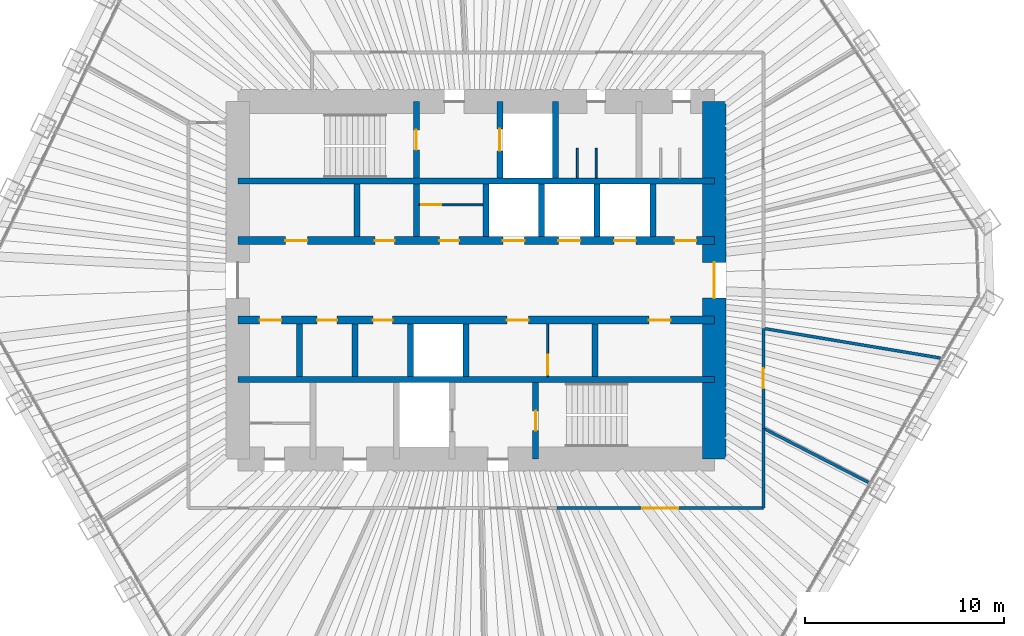
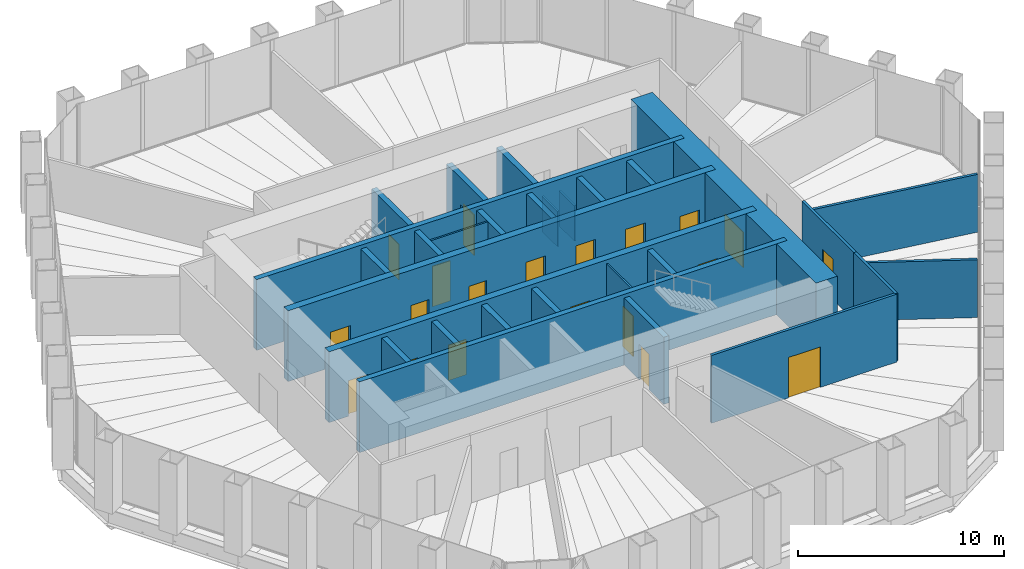
# One storey, part 11 of 13: 29 walls, 20 doors, 20 openings.
"""IFC4 building model written with IfcOpenShell, lengths in metres."""

from ifc_helpers import new_model, si_unit, direction, frame, frame_2d, origin, place, context, subcontext, project, spatial, rectangle, extrude, material, layer, layer_set, type_object, element, fill, save


model = new_model("IFC4")

# Units and contexts
model_context = context("Model", 3, precision=1e-05, world=origin(), true_north=direction((0.0, 1.0)))
body_context = subcontext(model_context, "Body", "Model", "MODEL_VIEW")
ifc_project = project(units=[si_unit("LENGTHUNIT", "METRE"), si_unit("AREAUNIT", "SQUARE_METRE"), si_unit("VOLUMEUNIT", "CUBIC_METRE"), si_unit("PLANEANGLEUNIT", "RADIAN"), si_unit("MASSUNIT", "GRAM", prefix="KILO")], contexts=[model_context])

# Site, building, storey
site_placement = place(None, origin())
site = spatial("IfcSite", under=ifc_project, at=site_placement, CompositionType="ELEMENT")
building_placement = place(site_placement, origin())
building = spatial("IfcBuilding", under=site, at=building_placement, Name="Qingtian Harvest Tower", CompositionType="ELEMENT")
storey_placement = place(building_placement, frame((0.0, 0.0, 226.60009765625)))
storey = spatial("IfcBuildingStorey", under=building, at=storey_placement, Name="L49", CompositionType="ELEMENT", Elevation=226.60009765625)

# Walls
ifc_material_1 = material(Name="Concrete fc' 70 MPa", Category="concrete")
ifc_layer_1 = layer(ifc_material_1, 0.300048828125)
ifc_layer_set_1 = layer_set([ifc_layer_1], Name="Core inner wall RC5 300")
wall_type_1 = type_object("IfcWallType", Name="Core inner wall RC5 300", PredefinedType="SHEAR", material=ifc_layer_set_1)
for number, where, z_axis, x_axis, name in (
    (1, (-12.0, 5.0, 0.0), (0.0, 0.0, 1.0), (1.0, 0.0, 0.0), "Core wall IN5 L49"),
    (2, (-12.0, -5.0, 0.0), (0.0, 0.0, 1.0), (1.0, 0.0, 0.0), "Core wall IS5 L49"),
):
    element("IfcWall", number, at=place(storey_placement, frame(where, z_axis=z_axis, x_axis=x_axis)), inside=storey, type_object=wall_type_1, Name=name, PredefinedType="SHEAR", context=body_context, shape_type="SweptSolid", body=[
        extrude(rectangle(XDim=24.0, YDim=0.300048828125, at=frame_2d((12.0, 0.0))), origin(), (0.0, 0.0, 1.0), 4.199951171875),
    ])

# Wall, openings, doors
ifc_material_2 = material(Name="Concrete fc' 70 MPa", Category="concrete")
ifc_layer_2 = layer(ifc_material_2, 0.39990234375)
ifc_layer_set_2 = layer_set([ifc_layer_2], Name="Core inner web RC6 400")
wall_type_2 = type_object("IfcWallType", Name="Core inner web RC6 400", PredefinedType="SHEAR", material=ifc_layer_set_2)
wall_1_placement = place(storey_placement, frame((-12.0, 2.0, 0.0), z_axis=(0.0, 0.0, 1.0), x_axis=(1.0, 0.0, 0.0)))
wall_1 = element("IfcWall", 3, at=wall_1_placement, inside=storey, type_object=wall_type_2, Name="Core wall IN2 L49", PredefinedType="SHEAR", context=body_context, shape_type="SweptSolid", body=[
    extrude(rectangle(XDim=24.0, YDim=0.39990234375, at=frame_2d((12.0, 0.0))), origin(), (0.0, 0.0, 1.0), 4.199951171875),
])
opening_1_placement = place(wall_1_placement, frame((2.39990234375, 0.0, 0.0)))
opening_1 = element("IfcOpeningElement", 4, at=opening_1_placement, cuts=wall_1, Name="Opening FD4", PredefinedType="OPENING", context=body_context, shape_type="SweptSolid", body=[
    extrude(rectangle(XDim=1.10009765625, YDim=2.10009765625, at=frame_2d((0.550048828125, 1.050048828125))), frame((0.0, 0.2099609375, 0.0), z_axis=(0.0, -1.0, 0.0), x_axis=(1.0, 0.0, 0.0)), (0.0, 0.0, 1.0), 0.419921875),
])
opening_2_placement = place(wall_1_placement, frame((22.0, 0.0, 0.0)))
opening_2 = element("IfcOpeningElement", 5, at=opening_2_placement, cuts=wall_1, Name="Opening FD4", PredefinedType="OPENING", context=body_context, shape_type="SweptSolid", body=[
    extrude(rectangle(XDim=1.10009765625, YDim=2.10009765625, at=frame_2d((0.550048828125, 1.050048828125))), frame((0.0, 0.2099609375, 0.0), z_axis=(0.0, -1.0, 0.0), x_axis=(1.0, 0.0, 0.0)), (0.0, 0.0, 1.0), 0.419921875),
])
opening_3_placement = place(wall_1_placement, frame((10.14990234375, 0.0, 0.0)))
opening_3 = element("IfcOpeningElement", 6, at=opening_3_placement, cuts=wall_1, Name="Opening FD1", PredefinedType="OPENING", context=body_context, shape_type="SweptSolid", body=[
    extrude(rectangle(XDim=1.0, YDim=2.10009765625, at=frame_2d((0.5, 1.050048828125))), frame((0.0, 0.2099609375, 0.0), z_axis=(0.0, -1.0, 0.0), x_axis=(1.0, 0.0, 0.0)), (0.0, 0.0, 1.0), 0.419921875),
])
opening_4_placement = place(wall_1_placement, frame((6.89990234375, 0.0, 0.0)))
opening_4 = element("IfcOpeningElement", 7, at=opening_4_placement, cuts=wall_1, Name="Opening FD1", PredefinedType="OPENING", context=body_context, shape_type="SweptSolid", body=[
    extrude(rectangle(XDim=1.0, YDim=2.10009765625, at=frame_2d((0.5, 1.050048828125))), frame((0.0, 0.2099609375, 0.0), z_axis=(0.0, -1.0, 0.0), x_axis=(1.0, 0.0, 0.0)), (0.0, 0.0, 1.0), 0.419921875),
])
opening_5_placement = place(wall_1_placement, frame((13.35009765625, 0.0, 0.0)))
opening_5 = element("IfcOpeningElement", 8, at=opening_5_placement, cuts=wall_1, Name="Opening LD1", PredefinedType="OPENING", context=body_context, shape_type="SweptSolid", body=[
    extrude(rectangle(XDim=1.10009765625, YDim=2.39990234375, at=frame_2d((0.550048828125, 1.199951171875))), frame((0.0, 0.2099609375, 0.0), z_axis=(0.0, -1.0, 0.0), x_axis=(1.0, 0.0, 0.0)), (0.0, 0.0, 1.0), 0.419921875),
])
opening_6_placement = place(wall_1_placement, frame((16.14990234375, 0.0, 0.0)))
opening_6 = element("IfcOpeningElement", 9, at=opening_6_placement, cuts=wall_1, Name="Opening LD1", PredefinedType="OPENING", context=body_context, shape_type="SweptSolid", body=[
    extrude(rectangle(XDim=1.10009765625, YDim=2.39990234375, at=frame_2d((0.550048828125, 1.199951171875))), frame((0.0, 0.2099609375, 0.0), z_axis=(0.0, -1.0, 0.0), x_axis=(1.0, 0.0, 0.0)), (0.0, 0.0, 1.0), 0.419921875),
])
opening_7_placement = place(wall_1_placement, frame((18.949951171875, 0.0, 0.0)))
opening_7 = element("IfcOpeningElement", 10, at=opening_7_placement, cuts=wall_1, Name="Opening LD1", PredefinedType="OPENING", context=body_context, shape_type="SweptSolid", body=[
    extrude(rectangle(XDim=1.10009765625, YDim=2.39990234375, at=frame_2d((0.550048828125, 1.199951171875))), frame((0.0, 0.2099609375, 0.0), z_axis=(0.0, -1.0, 0.0), x_axis=(1.0, 0.0, 0.0)), (0.0, 0.0, 1.0), 0.419921875),
])
ifc_material_3 = material(Name="Steel-faced door leaf", Category="steel")
door_type_1 = type_object("IfcDoorType", Name="Fire door FD1 single 1 HR", OperationType="SINGLE_SWING_LEFT", PredefinedType="DOOR", material=ifc_material_3)
door_1_placement = place(opening_3_placement, origin())
door_1 = element("IfcDoor", 11, at=door_1_placement, inside=storey, type_object=door_type_1, Name="STA door L49", OperationType="SINGLE_SWING_LEFT", OverallHeight=2.10009765625, OverallWidth=1.0, PredefinedType="DOOR", context=body_context, shape_type="SweptSolid", body=[
    extrude(rectangle(XDim=1.0, YDim=2.10009765625, at=frame_2d((0.5, 1.050048828125))), frame((0.0, 0.02490234375, 0.0), z_axis=(0.0, -1.0, 0.0), x_axis=(1.0, 0.0, 0.0)), (0.0, 0.0, 1.0), 0.050048828125),
])
fill(opening_3, door_1)
door_2_placement = place(opening_4_placement, origin())
door_2 = element("IfcDoor", 12, at=door_2_placement, inside=storey, type_object=door_type_1, Name="Staff WC door L49", OperationType="SINGLE_SWING_LEFT", OverallHeight=2.10009765625, OverallWidth=1.0, PredefinedType="DOOR", context=body_context, shape_type="SweptSolid", body=[
    extrude(rectangle(XDim=1.0, YDim=2.10009765625, at=frame_2d((0.5, 1.050048828125))), frame((0.0, 0.02490234375, 0.0), z_axis=(0.0, -1.0, 0.0), x_axis=(1.0, 0.0, 0.0)), (0.0, 0.0, 1.0), 0.050048828125),
])
fill(opening_4, door_2)
ifc_material_4 = material(Name="Steel-faced door leaf", Category="steel")
door_type_2 = type_object("IfcDoorType", Name="Fire door FD4 single 2 HR", OperationType="SINGLE_SWING_LEFT", PredefinedType="DOOR", material=ifc_material_4)
door_3_placement = place(opening_1_placement, origin())
door_3 = element("IfcDoor", 13, at=door_3_placement, inside=storey, type_object=door_type_2, Name="RA door L49", OperationType="SINGLE_SWING_LEFT", OverallHeight=2.10009765625, OverallWidth=1.10009765625, PredefinedType="DOOR", context=body_context, shape_type="SweptSolid", body=[
    extrude(rectangle(XDim=1.10009765625, YDim=2.10009765625, at=frame_2d((0.550048828125, 1.050048828125))), frame((0.0, 0.02490234375, 0.0), z_axis=(0.0, -1.0, 0.0), x_axis=(1.0, 0.0, 0.0)), (0.0, 0.0, 1.0), 0.050048828125),
])
fill(opening_1, door_3)
door_4_placement = place(opening_2_placement, origin())
door_4 = element("IfcDoor", 14, at=door_4_placement, inside=storey, type_object=door_type_2, Name="AHU door L49", OperationType="SINGLE_SWING_RIGHT", OverallHeight=2.10009765625, OverallWidth=1.10009765625, PredefinedType="DOOR", context=body_context, shape_type="SweptSolid", body=[
    extrude(rectangle(XDim=1.10009765625, YDim=2.10009765625, at=frame_2d((0.550048828125, 1.050048828125))), frame((0.0, 0.02490234375, 0.0), z_axis=(0.0, -1.0, 0.0), x_axis=(1.0, 0.0, 0.0)), (0.0, 0.0, 1.0), 0.050048828125),
])
fill(opening_2, door_4)
ifc_material_5 = material(Name="Stainless steel lift landing door", Category="steel")
door_type_3 = type_object("IfcDoorType", Name="Lift landing door LD1 1 HR", OperationType="DOUBLE_DOOR_SLIDING", PredefinedType="DOOR", material=ifc_material_5)
door_5_placement = place(opening_5_placement, origin())
door_5 = element("IfcDoor", 15, at=door_5_placement, inside=storey, type_object=door_type_3, Name="PLC1 landing door L49", OperationType="DOUBLE_DOOR_SLIDING", OverallHeight=2.39990234375, OverallWidth=1.10009765625, PredefinedType="DOOR", context=body_context, shape_type="SweptSolid", body=[
    extrude(rectangle(XDim=1.10009765625, YDim=2.39990234375, at=frame_2d((0.550048828125, 1.199951171875))), frame((0.0, 0.02490234375, 0.0), z_axis=(0.0, -1.0, 0.0), x_axis=(1.0, 0.0, 0.0)), (0.0, 0.0, 1.0), 0.050048828125),
])
fill(opening_5, door_5)
door_6_placement = place(opening_6_placement, origin())
door_6 = element("IfcDoor", 16, at=door_6_placement, inside=storey, type_object=door_type_3, Name="PLC2 landing door L49", OperationType="DOUBLE_DOOR_SLIDING", OverallHeight=2.39990234375, OverallWidth=1.10009765625, PredefinedType="DOOR", context=body_context, shape_type="SweptSolid", body=[
    extrude(rectangle(XDim=1.10009765625, YDim=2.39990234375, at=frame_2d((0.550048828125, 1.199951171875))), frame((0.0, 0.02490234375, 0.0), z_axis=(0.0, -1.0, 0.0), x_axis=(1.0, 0.0, 0.0)), (0.0, 0.0, 1.0), 0.050048828125),
])
fill(opening_6, door_6)
door_7_placement = place(opening_7_placement, origin())
door_7 = element("IfcDoor", 17, at=door_7_placement, inside=storey, type_object=door_type_3, Name="PLC3 landing door L49", OperationType="DOUBLE_DOOR_SLIDING", OverallHeight=2.39990234375, OverallWidth=1.10009765625, PredefinedType="DOOR", context=body_context, shape_type="SweptSolid", body=[
    extrude(rectangle(XDim=1.10009765625, YDim=2.39990234375, at=frame_2d((0.550048828125, 1.199951171875))), frame((0.0, 0.02490234375, 0.0), z_axis=(0.0, -1.0, 0.0), x_axis=(1.0, 0.0, 0.0)), (0.0, 0.0, 1.0), 0.050048828125),
])
fill(opening_7, door_7)

wall_2_placement = place(storey_placement, frame((-12.0, -2.0, 0.0), z_axis=(0.0, 0.0, 1.0), x_axis=(1.0, 0.0, 0.0)))
wall_2 = element("IfcWall", 18, at=wall_2_placement, inside=storey, type_object=wall_type_2, Name="Core wall IS2 L49", PredefinedType="SHEAR", context=body_context, shape_type="SweptSolid", body=[
    extrude(rectangle(XDim=24.0, YDim=0.39990234375, at=frame_2d((12.0, 0.0))), origin(), (0.0, 0.0, 1.0), 4.199951171875),
])
opening_8_placement = place(wall_2_placement, frame((1.10009765625, 0.0, 0.0)))
opening_8 = element("IfcOpeningElement", 19, at=opening_8_placement, cuts=wall_2, Name="Opening FD4", PredefinedType="OPENING", context=body_context, shape_type="SweptSolid", body=[
    extrude(rectangle(XDim=1.10009765625, YDim=2.10009765625, at=frame_2d((0.550048828125, 1.050048828125))), frame((0.0, 0.2099609375, 0.0), z_axis=(0.0, -1.0, 0.0), x_axis=(1.0, 0.0, 0.0)), (0.0, 0.0, 1.0), 0.419921875),
])
opening_9_placement = place(wall_2_placement, frame((13.550048828125, 0.0, 0.0)))
opening_9 = element("IfcOpeningElement", 20, at=opening_9_placement, cuts=wall_2, Name="Opening FD4", PredefinedType="OPENING", context=body_context, shape_type="SweptSolid", body=[
    extrude(rectangle(XDim=1.10009765625, YDim=2.10009765625, at=frame_2d((0.550048828125, 1.050048828125))), frame((0.0, 0.2099609375, 0.0), z_axis=(0.0, -1.0, 0.0), x_axis=(1.0, 0.0, 0.0)), (0.0, 0.0, 1.0), 0.419921875),
])
opening_10_placement = place(wall_2_placement, frame((20.699951171875, 0.0, 0.0)))
opening_10 = element("IfcOpeningElement", 21, at=opening_10_placement, cuts=wall_2, Name="Opening FD4", PredefinedType="OPENING", context=body_context, shape_type="SweptSolid", body=[
    extrude(rectangle(XDim=1.10009765625, YDim=2.10009765625, at=frame_2d((0.550048828125, 1.050048828125))), frame((0.0, 0.2099609375, 0.0), z_axis=(0.0, -1.0, 0.0), x_axis=(1.0, 0.0, 0.0)), (0.0, 0.0, 1.0), 0.419921875),
])
opening_11_placement = place(wall_2_placement, frame((4.0, 0.0, 0.0)))
opening_11 = element("IfcOpeningElement", 22, at=opening_11_placement, cuts=wall_2, Name="Opening FD1", PredefinedType="OPENING", context=body_context, shape_type="SweptSolid", body=[
    extrude(rectangle(XDim=1.0, YDim=2.10009765625, at=frame_2d((0.5, 1.050048828125))), frame((0.0, 0.2099609375, 0.0), z_axis=(0.0, -1.0, 0.0), x_axis=(1.0, 0.0, 0.0)), (0.0, 0.0, 1.0), 0.419921875),
])
opening_12_placement = place(wall_2_placement, frame((6.800048828125, 0.0, 0.0)))
opening_12 = element("IfcOpeningElement", 23, at=opening_12_placement, cuts=wall_2, Name="Opening FD1", PredefinedType="OPENING", context=body_context, shape_type="SweptSolid", body=[
    extrude(rectangle(XDim=1.0, YDim=2.10009765625, at=frame_2d((0.5, 1.050048828125))), frame((0.0, 0.2099609375, 0.0), z_axis=(0.0, -1.0, 0.0), x_axis=(1.0, 0.0, 0.0)), (0.0, 0.0, 1.0), 0.419921875),
])
door_8_placement = place(opening_11_placement, origin())
door_8 = element("IfcDoor", 24, at=door_8_placement, inside=storey, type_object=door_type_1, Name="Store door L49", OperationType="SINGLE_SWING_RIGHT", OverallHeight=2.10009765625, OverallWidth=1.0, PredefinedType="DOOR", context=body_context, shape_type="SweptSolid", body=[
    extrude(rectangle(XDim=1.0, YDim=2.10009765625, at=frame_2d((0.5, 1.050048828125))), frame((0.0, 0.02490234375, 0.0), z_axis=(0.0, -1.0, 0.0), x_axis=(1.0, 0.0, 0.0)), (0.0, 0.0, 1.0), 0.050048828125),
])
fill(opening_11, door_8)
door_9_placement = place(opening_12_placement, origin())
door_9 = element("IfcDoor", 25, at=door_9_placement, inside=storey, type_object=door_type_1, Name="Linen store door L49", OperationType="SINGLE_SWING_RIGHT", OverallHeight=2.10009765625, OverallWidth=1.0, PredefinedType="DOOR", context=body_context, shape_type="SweptSolid", body=[
    extrude(rectangle(XDim=1.0, YDim=2.10009765625, at=frame_2d((0.5, 1.050048828125))), frame((0.0, 0.02490234375, 0.0), z_axis=(0.0, -1.0, 0.0), x_axis=(1.0, 0.0, 0.0)), (0.0, 0.0, 1.0), 0.050048828125),
])
fill(opening_12, door_9)
door_10_placement = place(opening_8_placement, origin())
door_10 = element("IfcDoor", 26, at=door_10_placement, inside=storey, type_object=door_type_2, Name="RB door L49", OperationType="SINGLE_SWING_RIGHT", OverallHeight=2.10009765625, OverallWidth=1.10009765625, PredefinedType="DOOR", context=body_context, shape_type="SweptSolid", body=[
    extrude(rectangle(XDim=1.10009765625, YDim=2.10009765625, at=frame_2d((0.550048828125, 1.050048828125))), frame((0.0, 0.02490234375, 0.0), z_axis=(0.0, -1.0, 0.0), x_axis=(1.0, 0.0, 0.0)), (0.0, 0.0, 1.0), 0.050048828125),
])
fill(opening_8, door_10)
door_11_placement = place(opening_9_placement, origin())
door_11 = element("IfcDoor", 27, at=door_11_placement, inside=storey, type_object=door_type_2, Name="ELEC door L49", OperationType="SINGLE_SWING_LEFT", OverallHeight=2.10009765625, OverallWidth=1.10009765625, PredefinedType="DOOR", context=body_context, shape_type="SweptSolid", body=[
    extrude(rectangle(XDim=1.10009765625, YDim=2.10009765625, at=frame_2d((0.550048828125, 1.050048828125))), frame((0.0, 0.02490234375, 0.0), z_axis=(0.0, -1.0, 0.0), x_axis=(1.0, 0.0, 0.0)), (0.0, 0.0, 1.0), 0.050048828125),
])
fill(opening_9, door_11)
door_12_placement = place(opening_10_placement, origin())
door_12 = element("IfcDoor", 28, at=door_12_placement, inside=storey, type_object=door_type_2, Name="DUCT door L49", OperationType="SINGLE_SWING_LEFT", OverallHeight=2.10009765625, OverallWidth=1.10009765625, PredefinedType="DOOR", context=body_context, shape_type="SweptSolid", body=[
    extrude(rectangle(XDim=1.10009765625, YDim=2.10009765625, at=frame_2d((0.550048828125, 1.050048828125))), frame((0.0, 0.02490234375, 0.0), z_axis=(0.0, -1.0, 0.0), x_axis=(1.0, 0.0, 0.0)), (0.0, 0.0, 1.0), 0.050048828125),
])
fill(opening_10, door_12)

# Wall, opening, door
ifc_material_6 = material(Name="Precast concrete shaft panel", Category="concrete")
ifc_layer_3 = layer(ifc_material_6, 0.300048828125)
ifc_layer_set_3 = layer_set([ifc_layer_3], Name="Core shaft partition SW1 300")
wall_type_3 = type_object("IfcWallType", Name="Core shaft partition SW1 300", PredefinedType="PARTITIONING", material=ifc_layer_set_3)
wall_3_placement = place(storey_placement, frame((-3.0, 5.14990234375, 0.0), z_axis=(0.0, 0.0, 1.0), x_axis=(0.0, 1.0, 0.0)))
wall_3 = element("IfcWall", 29, at=wall_3_placement, inside=storey, type_object=wall_type_3, Name="Core shaft partition XN1 L49", PredefinedType="PARTITIONING", context=body_context, shape_type="SweptSolid", body=[
    extrude(rectangle(XDim=3.85009765625, YDim=0.300048828125, at=frame_2d((1.925048828125, 0.0))), origin(), (0.0, 0.0, 1.0), 3.97998046875),
])
opening_13_placement = place(wall_3_placement, frame((1.425048828125, 0.0, 0.0)))
opening_13 = element("IfcOpeningElement", 30, at=opening_13_placement, cuts=wall_3, Name="Opening FD1", PredefinedType="OPENING", context=body_context, shape_type="SweptSolid", body=[
    extrude(rectangle(XDim=1.0, YDim=2.10009765625, at=frame_2d((0.5, 1.050048828125))), frame((0.0, 0.159912109375, 0.0), z_axis=(0.0, -1.0, 0.0), x_axis=(1.0, 0.0, 0.0)), (0.0, 0.0, 1.0), 0.320068359375),
])
door_13_placement = place(opening_13_placement, origin())
door_13 = element("IfcDoor", 31, at=door_13_placement, inside=storey, type_object=door_type_1, Name="S1 door L49", OperationType="SINGLE_SWING_RIGHT", OverallHeight=2.10009765625, OverallWidth=1.0, PredefinedType="DOOR", context=body_context, shape_type="SweptSolid", body=[
    extrude(rectangle(XDim=1.0, YDim=2.10009765625, at=frame_2d((0.5, 1.050048828125))), frame((0.0, 0.02490234375, 0.0), z_axis=(0.0, -1.0, 0.0), x_axis=(1.0, 0.0, 0.0)), (0.0, 0.0, 1.0), 0.050048828125),
])
fill(opening_13, door_13)

wall_4_placement = place(storey_placement, frame((1.199951171875, 5.14990234375, 0.0), z_axis=(0.0, 0.0, 1.0), x_axis=(0.0, 1.0, 0.0)))
wall_4 = element("IfcWall", 32, at=wall_4_placement, inside=storey, type_object=wall_type_3, Name="Core shaft partition XN2 L49", PredefinedType="PARTITIONING", context=body_context, shape_type="SweptSolid", body=[
    extrude(rectangle(XDim=3.85009765625, YDim=0.300048828125, at=frame_2d((1.925048828125, 0.0))), origin(), (0.0, 0.0, 1.0), 3.97998046875),
])
opening_14_placement = place(wall_4_placement, frame((1.375, 0.0, 0.0)))
opening_14 = element("IfcOpeningElement", 33, at=opening_14_placement, cuts=wall_4, Name="Opening LD1", PredefinedType="OPENING", context=body_context, shape_type="SweptSolid", body=[
    extrude(rectangle(XDim=1.10009765625, YDim=2.39990234375, at=frame_2d((0.550048828125, 1.199951171875))), frame((0.0, 0.159912109375, 0.0), z_axis=(0.0, -1.0, 0.0), x_axis=(1.0, 0.0, 0.0)), (0.0, 0.0, 1.0), 0.320068359375),
])
door_14_placement = place(opening_14_placement, origin())
door_14 = element("IfcDoor", 34, at=door_14_placement, inside=storey, type_object=door_type_3, Name="FL1 landing door L49", OperationType="DOUBLE_DOOR_SLIDING", OverallHeight=2.39990234375, OverallWidth=1.10009765625, PredefinedType="DOOR", context=body_context, shape_type="SweptSolid", body=[
    extrude(rectangle(XDim=1.10009765625, YDim=2.39990234375, at=frame_2d((0.550048828125, 1.199951171875))), frame((0.0, 0.02490234375, 0.0), z_axis=(0.0, -1.0, 0.0), x_axis=(1.0, 0.0, 0.0)), (0.0, 0.0, 1.0), 0.050048828125),
])
fill(opening_14, door_14)

# Walls
wall_5_placement = place(storey_placement, frame((4.0, 5.14990234375, 0.0), z_axis=(0.0, 0.0, 1.0), x_axis=(0.0, 1.0, 0.0)))
element("IfcWall", 35, at=wall_5_placement, inside=storey, type_object=wall_type_3, Name="Core shaft partition XN3 L49", PredefinedType="PARTITIONING", context=body_context, shape_type="SweptSolid", body=[
    extrude(rectangle(XDim=3.85009765625, YDim=0.300048828125, at=frame_2d((1.925048828125, 0.0))), origin(), (0.0, 0.0, 1.0), 3.97998046875),
])
for number, where, z_axis, x_axis, name in (
    (36, (-6.0, 2.199951171875, 0.0), (0.0, 0.0, 1.0), (0.0, 1.0, 0.0), "Core shaft partition XA1 L49"),
    (37, (-3.0, 2.199951171875, 0.0), (0.0, 0.0, 1.0), (0.0, 1.0, 0.0), "Core shaft partition XA2 L49"),
    (38, (0.5, 2.199951171875, 0.0), (0.0, 0.0, 1.0), (0.0, 1.0, 0.0), "Core shaft partition XA3 L49"),
    (39, (3.300048828125, 2.199951171875, 0.0), (0.0, 0.0, 1.0), (0.0, 1.0, 0.0), "Core shaft partition XA4 L49"),
    (40, (6.10009765625, 2.199951171875, 0.0), (0.0, 0.0, 1.0), (0.0, 1.0, 0.0), "Core shaft partition XA5 L49"),
    (41, (8.89990234375, 2.199951171875, 0.0), (0.0, 0.0, 1.0), (0.0, 1.0, 0.0), "Core shaft partition XA6 L49"),
    (42, (-8.89990234375, -4.85009765625, 0.0), (0.0, 0.0, 1.0), (0.0, 1.0, 0.0), "Core shaft partition XB1 L49"),
    (43, (-6.10009765625, -4.85009765625, 0.0), (0.0, 0.0, 1.0), (0.0, 1.0, 0.0), "Core shaft partition XB2 L49"),
    (44, (-3.300048828125, -4.85009765625, 0.0), (0.0, 0.0, 1.0), (0.0, 1.0, 0.0), "Core shaft partition XB3 L49"),
    (45, (-0.5, -4.85009765625, 0.0), (0.0, 0.0, 1.0), (0.0, 1.0, 0.0), "Core shaft partition XB4 L49"),
    (46, (6.0, -4.85009765625, 0.0), (0.0, 0.0, 1.0), (0.0, 1.0, 0.0), "Core shaft partition XB5 L49"),
):
    element("IfcWall", number, at=place(storey_placement, frame(where, z_axis=z_axis, x_axis=x_axis)), inside=storey, type_object=wall_type_3, Name=name, PredefinedType="PARTITIONING", context=body_context, shape_type="SweptSolid", body=[
        extrude(rectangle(XDim=2.650146484375, YDim=0.300048828125, at=frame_2d((1.3251953125, 0.0))), origin(), (0.0, 0.0, 1.0), 3.97998046875),
    ])

# Wall, opening, door
wall_6_placement = place(storey_placement, frame((3.0, -9.0, 0.0), z_axis=(0.0, 0.0, 1.0), x_axis=(0.0, 1.0, 0.0)))
wall_6 = element("IfcWall", 47, at=wall_6_placement, inside=storey, type_object=wall_type_3, Name="Core shaft partition XS4 L49", PredefinedType="PARTITIONING", context=body_context, shape_type="SweptSolid", body=[
    extrude(rectangle(XDim=3.85009765625, YDim=0.300048828125, at=frame_2d((1.925048828125, 0.0))), origin(), (0.0, 0.0, 1.0), 3.97998046875),
])
opening_15_placement = place(wall_6_placement, frame((1.425048828125, 0.0, 0.0)))
opening_15 = element("IfcOpeningElement", 48, at=opening_15_placement, cuts=wall_6, Name="Opening FD1", PredefinedType="OPENING", context=body_context, shape_type="SweptSolid", body=[
    extrude(rectangle(XDim=1.0, YDim=2.10009765625, at=frame_2d((0.5, 1.050048828125))), frame((0.0, 0.159912109375, 0.0), z_axis=(0.0, -1.0, 0.0), x_axis=(1.0, 0.0, 0.0)), (0.0, 0.0, 1.0), 0.320068359375),
])
door_15_placement = place(opening_15_placement, origin())
door_15 = element("IfcDoor", 49, at=door_15_placement, inside=storey, type_object=door_type_1, Name="S2 door L49", OperationType="SINGLE_SWING_RIGHT", OverallHeight=2.10009765625, OverallWidth=1.0, PredefinedType="DOOR", context=body_context, shape_type="SweptSolid", body=[
    extrude(rectangle(XDim=1.0, YDim=2.10009765625, at=frame_2d((0.5, 1.050048828125))), frame((0.0, 0.02490234375, 0.0), z_axis=(0.0, -1.0, 0.0), x_axis=(1.0, 0.0, 0.0)), (0.0, 0.0, 1.0), 0.050048828125),
])
fill(opening_15, door_15)

ifc_material_7 = material(Name="Concrete fc' 70 MPa", Category="concrete")
ifc_layer_4 = layer(ifc_material_7, 1.199951171875)
ifc_layer_set_4 = layer_set([ifc_layer_4], Name="Core wall RC2 1200")
wall_type_4 = type_object("IfcWallType", Name="Core wall RC2 1200", PredefinedType="SHEAR", material=ifc_layer_set_4)
wall_7_placement = place(storey_placement, frame((12.0, -9.0, 0.0), z_axis=(0.0, 0.0, 1.0), x_axis=(0.0, 1.0, 0.0)))
wall_7 = element("IfcWall", 50, at=wall_7_placement, inside=storey, type_object=wall_type_4, Name="Core wall CE L49", PredefinedType="SHEAR", context=body_context, shape_type="SweptSolid", body=[
    extrude(rectangle(XDim=18.0, YDim=1.199951171875, at=frame_2d((9.0, 0.0))), origin(), (0.0, 0.0, 1.0), 4.199951171875),
])
opening_16_placement = place(wall_7_placement, frame((8.10009765625, 0.0, 0.0)))
opening_16 = element("IfcOpeningElement", 51, at=opening_16_placement, cuts=wall_7, Name="Opening FD2", PredefinedType="OPENING", context=body_context, shape_type="SweptSolid", body=[
    extrude(rectangle(XDim=1.800048828125, YDim=2.10009765625, at=frame_2d((0.89990234375, 1.050048828125))), frame((0.0, 0.60986328125, 0.0), z_axis=(0.0, -1.0, 0.0), x_axis=(1.0, 0.0, 0.0)), (0.0, 0.0, 1.0), 1.219970703125),
])
ifc_material_8 = material(Name="Steel-faced door leaf", Category="steel")
door_type_4 = type_object("IfcDoorType", Name="Fire door FD2 double 1 HR", OperationType="DOUBLE_DOOR_DOUBLE_SWING", PredefinedType="DOOR", material=ifc_material_8)
door_16_placement = place(opening_16_placement, origin())
door_16 = element("IfcDoor", 52, at=door_16_placement, inside=storey, type_object=door_type_4, Name="LOBBY-E door L49", OperationType="DOUBLE_DOOR_DOUBLE_SWING", OverallHeight=2.10009765625, OverallWidth=1.800048828125, PredefinedType="DOOR", context=body_context, shape_type="SweptSolid", body=[
    extrude(rectangle(XDim=1.800048828125, YDim=2.10009765625, at=frame_2d((0.89990234375, 1.050048828125))), frame((0.0, 0.02490234375, 0.0), z_axis=(0.0, -1.0, 0.0), x_axis=(1.0, 0.0, 0.0)), (0.0, 0.0, 1.0), 0.050048828125),
])
fill(opening_16, door_16)

# Wall
ifc_material_9 = material(Name="Gypsum board on steel studs", Category="steel")
ifc_layer_5 = layer(ifc_material_9, 0.14990234375)
ifc_layer_set_5 = layer_set([ifc_layer_5], Name="Partition PT1 150")
wall_type_5 = type_object("IfcWallType", Name="Partition PT1 150", PredefinedType="PARTITIONING", material=ifc_layer_set_5)
wall_8_placement = place(storey_placement, frame((23.383056640625, -3.912109375, 0.0), z_axis=(0.0, 0.0, 1.0), x_axis=(-0.986293651891, 0.164999491631, 0.0)))
element("IfcWall", 53, at=wall_8_placement, inside=storey, type_object=wall_type_5, Name="Private office wall L49", PredefinedType="PARTITIONING", context=body_context, shape_type="SweptSolid", body=[
    extrude(rectangle(XDim=9.03173828125, YDim=0.14990234375, at=frame_2d((4.515869140625, 0.0))), origin(), (0.0, 0.0, 1.0), 3.429931640625),
])

# Wall, opening, door
wall_9_placement = place(storey_placement, frame((14.47509765625, -2.421875, 0.0), z_axis=(0.0, 0.0, 1.0), x_axis=(0.0, -1.0, 0.0)))
wall_9 = element("IfcWall", 54, at=wall_9_placement, inside=storey, type_object=wall_type_5, Name="Private office wall L49", PredefinedType="PARTITIONING", context=body_context, shape_type="SweptSolid", body=[
    extrude(rectangle(XDim=5.033203125, YDim=0.14990234375, at=frame_2d((2.5166015625, 0.0))), origin(), (0.0, 0.0, 1.0), 4.02978515625),
])
opening_17_placement = place(wall_9_placement, frame((2.0166015625, 0.0, 0.0)))
opening_17 = element("IfcOpeningElement", 55, at=opening_17_placement, cuts=wall_9, Name="Opening D2", PredefinedType="OPENING", context=body_context, shape_type="SweptSolid", body=[
    extrude(rectangle(XDim=1.0, YDim=2.39990234375, at=frame_2d((0.5, 1.199951171875))), frame((0.0, 0.0849609375, 0.0), z_axis=(0.0, -1.0, 0.0), x_axis=(1.0, 0.0, 0.0)), (0.0, 0.0, 1.0), 0.169921875),
])
ifc_material_10 = material(Name="Laminated timber door leaf", Category="wood")
door_type_5 = type_object("IfcDoorType", Name="Room door D2 single", OperationType="SINGLE_SWING_LEFT", PredefinedType="DOOR", material=ifc_material_10)
door_17_placement = place(opening_17_placement, origin())
door_17 = element("IfcDoor", 56, at=door_17_placement, inside=storey, type_object=door_type_5, Name="Private office door L49", OperationType="SINGLE_SWING_RIGHT", OverallHeight=2.39990234375, OverallWidth=1.0, PredefinedType="DOOR", context=body_context, shape_type="SweptSolid", body=[
    extrude(rectangle(XDim=1.0, YDim=2.39990234375, at=frame_2d((0.5, 1.199951171875))), frame((0.0, 0.02490234375, 0.0), z_axis=(0.0, -1.0, 0.0), x_axis=(1.0, 0.0, 0.0)), (0.0, 0.0, 1.0), 0.050048828125),
])
fill(opening_17, door_17)

# Walls
wall_10_placement = place(storey_placement, frame((19.759033203125, -10.176513671875, 0.0), z_axis=(0.0, 0.0, 1.0), x_axis=(-0.889015092721, 0.457877893017, 0.0)))
element("IfcWall", 57, at=wall_10_placement, inside=storey, type_object=wall_type_5, Name="Office suite wall L49", PredefinedType="PARTITIONING", context=body_context, shape_type="SweptSolid", body=[
    extrude(rectangle(XDim=5.943603515625, YDim=0.14990234375, at=frame_2d((2.9716796875, 0.0))), origin(), (0.0, 0.0, 1.0), 3.429931640625),
])
wall_11_placement = place(storey_placement, frame((14.47509765625, -7.455078125, 0.0), z_axis=(0.0, 0.0, 1.0), x_axis=(0.0, -1.0, 0.0)))
element("IfcWall", 58, at=wall_11_placement, inside=storey, type_object=wall_type_5, Name="Office suite wall L49", PredefinedType="PARTITIONING", context=body_context, shape_type="SweptSolid", body=[
    extrude(rectangle(XDim=4.02001953125, YDim=0.14990234375, at=frame_2d((2.010009765625, 0.0))), origin(), (0.0, 0.0, 1.0), 4.02978515625),
])

# Wall, opening, door
wall_12_placement = place(storey_placement, frame((14.47509765625, -11.47509765625, 0.0), z_axis=(0.0, 0.0, 1.0), x_axis=(-1.0, 0.0, 0.0)))
wall_12 = element("IfcWall", 59, at=wall_12_placement, inside=storey, type_object=wall_type_5, Name="Office suite wall L49", PredefinedType="PARTITIONING", context=body_context, shape_type="SweptSolid", body=[
    extrude(rectangle(XDim=10.405517578125, YDim=0.14990234375, at=frame_2d((5.20263671875, 0.0))), origin(), (0.0, 0.0, 1.0), 4.02978515625),
])
opening_18_placement = place(wall_12_placement, frame((4.302734375, 0.0, 0.0)))
opening_18 = element("IfcOpeningElement", 60, at=opening_18_placement, cuts=wall_12, Name="Opening D3", PredefinedType="OPENING", context=body_context, shape_type="SweptSolid", body=[
    extrude(rectangle(XDim=1.800048828125, YDim=2.39990234375, at=frame_2d((0.89990234375, 1.199951171875))), frame((0.0, 0.0849609375, 0.0), z_axis=(0.0, -1.0, 0.0), x_axis=(1.0, 0.0, 0.0)), (0.0, 0.0, 1.0), 0.169921875),
])
ifc_material_11 = material(Name="Laminated timber door leaf", Category="wood")
door_type_6 = type_object("IfcDoorType", Name="Room door D3 double", OperationType="DOUBLE_DOOR_DOUBLE_SWING", PredefinedType="DOOR", material=ifc_material_11)
door_18_placement = place(opening_18_placement, origin())
door_18 = element("IfcDoor", 61, at=door_18_placement, inside=storey, type_object=door_type_6, Name="Office suite door L49", OperationType="DOUBLE_DOOR_DOUBLE_SWING", OverallHeight=2.39990234375, OverallWidth=1.800048828125, PredefinedType="DOOR", context=body_context, shape_type="SweptSolid", body=[
    extrude(rectangle(XDim=1.800048828125, YDim=2.39990234375, at=frame_2d((0.89990234375, 1.199951171875))), frame((0.0, 0.02490234375, 0.0), z_axis=(0.0, -1.0, 0.0), x_axis=(1.0, 0.0, 0.0)), (0.0, 0.0, 1.0), 0.050048828125),
])
fill(opening_18, door_18)

ifc_material_12 = material(Name="Concrete block partition", Category="concrete")
ifc_layer_6 = layer(ifc_material_12, 0.10009765625)
ifc_layer_set_6 = layer_set([ifc_layer_6], Name="Store partition PT3 100")
wall_type_6 = type_object("IfcWallType", Name="Store partition PT3 100", PredefinedType="PARTITIONING", material=ifc_layer_set_6)
wall_13_placement = place(storey_placement, frame((-2.85009765625, 3.800048828125, 0.0), z_axis=(0.0, 0.0, 1.0), x_axis=(1.0, 0.0, 0.0)))
wall_13 = element("IfcWall", 62, at=wall_13_placement, inside=storey, type_object=wall_type_6, Name="Linen store wall L49", PredefinedType="PARTITIONING", context=body_context, shape_type="SweptSolid", body=[
    extrude(rectangle(XDim=3.2001953125, YDim=0.10009765625, at=frame_2d((1.60009765625, 0.0))), origin(), (0.0, 0.0, 1.0), 3.97998046875),
])
opening_19_placement = place(wall_13_placement, frame((0.10009765625, 0.0, 0.0)))
opening_19 = element("IfcOpeningElement", 63, at=opening_19_placement, cuts=wall_13, Name="Opening D2", PredefinedType="OPENING", context=body_context, shape_type="SweptSolid", body=[
    extrude(rectangle(XDim=1.0, YDim=2.39990234375, at=frame_2d((0.5, 1.199951171875))), frame((0.0, 0.06005859375, 0.0), z_axis=(0.0, -1.0, 0.0), x_axis=(1.0, 0.0, 0.0)), (0.0, 0.0, 1.0), 0.1201171875),
])
door_19_placement = place(opening_19_placement, origin())
door_19 = element("IfcDoor", 64, at=door_19_placement, inside=storey, type_object=door_type_5, Name="Linen store door L49", OperationType="SINGLE_SWING_RIGHT", OverallHeight=2.39990234375, OverallWidth=1.0, PredefinedType="DOOR", context=body_context, shape_type="SweptSolid", body=[
    extrude(rectangle(XDim=1.0, YDim=2.39990234375, at=frame_2d((0.5, 1.199951171875))), frame((0.0, 0.02490234375, 0.0), z_axis=(0.0, -1.0, 0.0), x_axis=(1.0, 0.0, 0.0)), (0.0, 0.0, 1.0), 0.050048828125),
])
fill(opening_19, door_19)

wall_14_placement = place(storey_placement, frame((3.60009765625, -4.85009765625, 0.0), z_axis=(0.0, 0.0, 1.0), x_axis=(0.0, 1.0, 0.0)))
wall_14 = element("IfcWall", 65, at=wall_14_placement, inside=storey, type_object=wall_type_6, Name="Comms room wall L49", PredefinedType="PARTITIONING", context=body_context, shape_type="SweptSolid", body=[
    extrude(rectangle(XDim=2.650146484375, YDim=0.10009765625, at=frame_2d((1.3251953125, 0.0))), origin(), (0.0, 0.0, 1.0), 3.97998046875),
])
opening_20_placement = place(wall_14_placement, frame((0.10009765625, 0.0, 0.0)))
opening_20 = element("IfcOpeningElement", 66, at=opening_20_placement, cuts=wall_14, Name="Opening D2", PredefinedType="OPENING", context=body_context, shape_type="SweptSolid", body=[
    extrude(rectangle(XDim=1.0, YDim=2.39990234375, at=frame_2d((0.5, 1.199951171875))), frame((0.0, 0.06005859375, 0.0), z_axis=(0.0, -1.0, 0.0), x_axis=(1.0, 0.0, 0.0)), (0.0, 0.0, 1.0), 0.1201171875),
])
door_20_placement = place(opening_20_placement, origin())
door_20 = element("IfcDoor", 67, at=door_20_placement, inside=storey, type_object=door_type_5, Name="Comms room door L49", OperationType="SINGLE_SWING_LEFT", OverallHeight=2.39990234375, OverallWidth=1.0, PredefinedType="DOOR", context=body_context, shape_type="SweptSolid", body=[
    extrude(rectangle(XDim=1.0, YDim=2.39990234375, at=frame_2d((0.5, 1.199951171875))), frame((0.0, 0.02490234375, 0.0), z_axis=(0.0, -1.0, 0.0), x_axis=(1.0, 0.0, 0.0)), (0.0, 0.0, 1.0), 0.050048828125),
])
fill(opening_20, door_20)

# Walls
ifc_material_13 = material(Name="Compact laminate cubicle partition", Category="plastic")
ifc_layer_7 = layer(ifc_material_13, 0.10009765625)
ifc_layer_set_7 = layer_set([ifc_layer_7], Name="WC cubicle partition WP1 100")
wall_type_7 = type_object("IfcWallType", Name="WC cubicle partition WP1 100", PredefinedType="PARTITIONING", material=ifc_layer_set_7)
for number, where, z_axis, x_axis, name in (
    (68, (5.10009765625, 5.14990234375, 0.0), (0.0, 0.0, 1.0), (0.0, 1.0, 0.0), "WC cubicle partition WCM L49"),
    (69, (6.050048828125, 5.14990234375, 0.0), (0.0, 0.0, 1.0), (0.0, 1.0, 0.0), "WC cubicle partition WCM L49"),
):
    element("IfcWall", number, at=place(storey_placement, frame(where, z_axis=z_axis, x_axis=x_axis)), inside=storey, type_object=wall_type_7, Name=name, PredefinedType="PARTITIONING", context=body_context, shape_type="SweptSolid", body=[
        extrude(rectangle(XDim=1.5, YDim=0.10009765625, at=frame_2d((0.75, 0.0))), origin(), (0.0, 0.0, 1.0), 2.099853515625),
    ])

save(model, "model.ifc")
